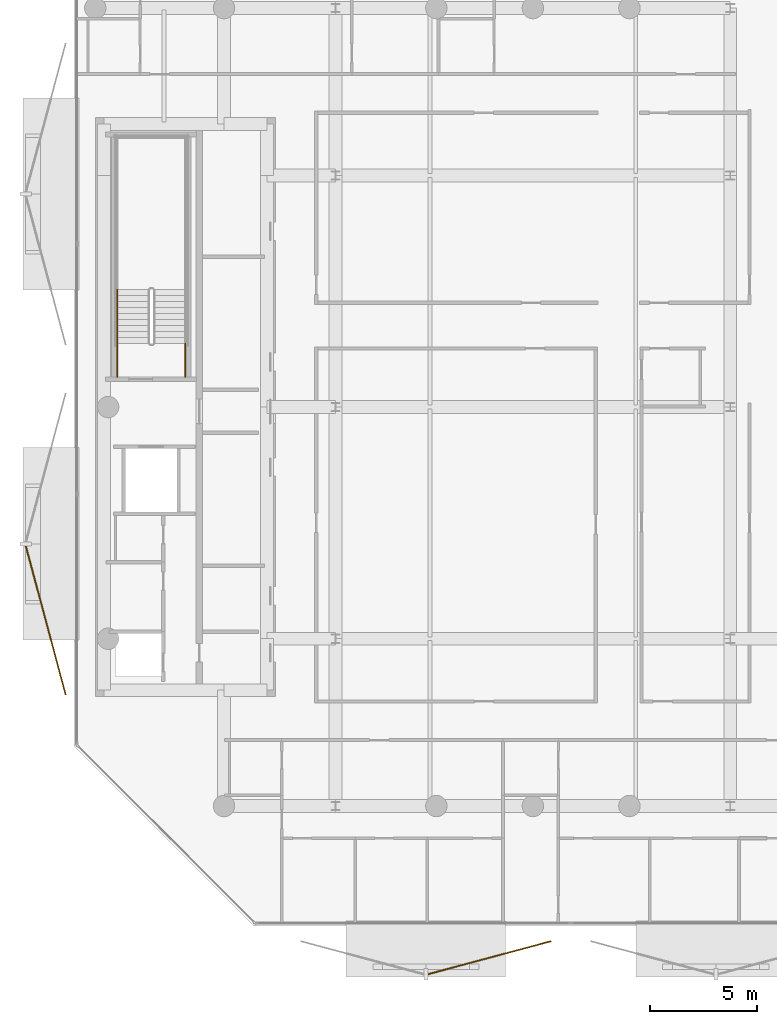
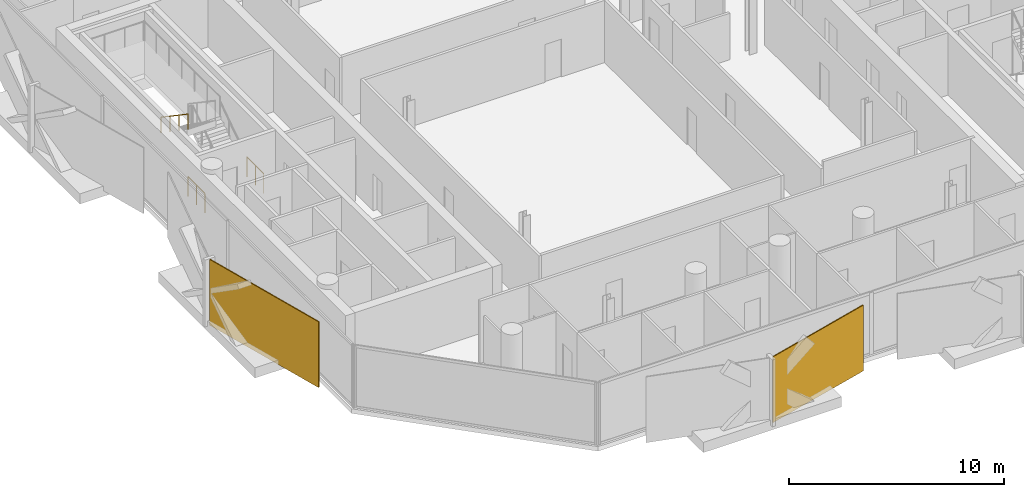
# One storey, part 14 of 17: 3 railings, 2 coverings.
"""IFC4 building model written with IfcOpenShell, lengths in metres."""

from ifc_helpers import new_model, si_unit, direction, frame, origin, origin_2d, place, context, subcontext, project, spatial, rectangle, circle, extrude, material, layer, layer_set, type_object, element, save


model = new_model("IFC4")

# Units and contexts
model_context = context("Model", 3, precision=1e-05, world=origin(), true_north=direction((0.0, 1.0)))
body_context = subcontext(model_context, "Body", "Model", "MODEL_VIEW")
ifc_project = project(units=[si_unit("LENGTHUNIT", "METRE"), si_unit("AREAUNIT", "SQUARE_METRE"), si_unit("VOLUMEUNIT", "CUBIC_METRE"), si_unit("PLANEANGLEUNIT", "RADIAN"), si_unit("MASSUNIT", "GRAM", prefix="KILO")], contexts=[model_context])

# Site, building, storey
site_placement = place(None, origin())
site = spatial("IfcSite", under=ifc_project, at=site_placement, CompositionType="ELEMENT")
building_placement = place(site_placement, origin())
building = spatial("IfcBuilding", under=site, at=building_placement, Name="Khairoan Windgate Tower", CompositionType="ELEMENT")
storey_placement = place(building_placement, frame((0.0, 0.0, 304.199951171875)))
storey = spatial("IfcBuildingStorey", under=building, at=storey_placement, Name="L73", CompositionType="ELEMENT", Elevation=304.199951171875)

# Coverings
ifc_material_1 = material(Name="Anodised Bronze Aluminium 6063-T6", Category="aluminium")
ifc_layer = layer(ifc_material_1, 0.054931640625, Name="Anodised Bronze Aluminium 6063-T6")
ifc_layer_set = layer_set([ifc_layer], Name="Anodised Bronze Aluminium 6063-T6")
covering_type = type_object("IfcCoveringType", Name="Perforated Bronze-Ceramic Folded Solar Screen Cladding BSC-1", PredefinedType="CLADDING", material=ifc_layer_set)
covering_1_placement = place(storey_placement, frame((-2.021484375, -25.67041015625, -0.10009765625), z_axis=(0.0, 0.0, 1.0), x_axis=(-0.965925826289, -0.258819045103, 0.0)))
element("IfcCovering", 1, at=covering_1_placement, inside=storey, type_object=covering_type, Name="L73 Folded Bronze Solar Screen Facet 511L", PredefinedType="CLADDING", context=body_context, shape_type="SweptSolid", body=[
    extrude(rectangle(XDim=5.947021484375, YDim=0.054931640625, at=origin_2d()), origin(), (0.0, 0.0, 1.0), 3.739990234375),
])
covering_2_placement = place(storey_placement, frame((-22.7109375, -9.94091796875, -0.10009765625), z_axis=(0.0, 0.0, 1.0), x_axis=(-0.258819045103, 0.965925826289, 0.0)))
element("IfcCovering", 2, at=covering_2_placement, inside=storey, type_object=covering_type, Name="L73 Folded Bronze Solar Screen Facet 512L", PredefinedType="CLADDING", context=body_context, shape_type="SweptSolid", body=[
    extrude(rectangle(XDim=7.178955078125, YDim=0.054931640625, at=origin_2d()), origin(), (0.0, 0.0, 1.0), 3.739990234375),
])

# Railings
ifc_material_2 = material(Name="Anodised Bronze Aluminium 6063-T6", Category="aluminium")
railing_type_1 = type_object("IfcRailingType", Name="Stair Wall Handrail SHR-900", PredefinedType="HANDRAIL", material=ifc_material_2)
railing_placement = place(storey_placement, frame((-19.3701171875, 5.47998046875, 2.090087890625)))
element("IfcRailing", 3, at=railing_placement, inside=storey, type_object=railing_type_1, Name="L73 ST2 stair handrail 2", PredefinedType="HANDRAIL", context=body_context, shape_type="SweptSolid", body=[
    extrude(circle(Radius=0.02392578125, at=origin_2d()), frame((0.0, 0.0, 0.8759765625), z_axis=(0.0, -0.827483756001, 0.561489655786), x_axis=(1.0, 0.0, 0.0)), (0.0, 0.0, 1.0), 3.04541015625),
    extrude(circle(Radius=0.02099609375, at=origin_2d()), origin(), (0.0, 0.0, 1.0), 0.851806640625),
    extrude(circle(Radius=0.02099609375, at=origin_2d()), frame((0.0, -0.840087890625, 0.570068359375)), (0.0, 0.0, 1.0), 0.851806640625),
    extrude(circle(Radius=0.02099609375, at=origin_2d()), frame((0.0, -1.679931640625, 1.139892578125)), (0.0, 0.0, 1.0), 0.851806640625),
    extrude(circle(Radius=0.02099609375, at=origin_2d()), frame((0.0, -2.52001953125, 1.7099609375)), (0.0, 0.0, 1.0), 0.851806640625),
])
ifc_material_3 = material(Name="Steel S355", Category="steel")
railing_type_2 = type_object("IfcRailingType", Name="Stairwell Safety Guardrail SGR-1150", PredefinedType="GUARDRAIL", material=ifc_material_3)
for number, where, name in (
    (4, (-16.199951171875, 1.39990234375, 0.0), "L73 ST2 stair guard 8"),
    (5, (-19.3701171875, 1.39990234375, 0.0), "L73 ST2 stair guard 9"),
):
    element("IfcRailing", number, at=place(storey_placement, frame(where)), inside=storey, type_object=railing_type_2, Name=name, PredefinedType="GUARDRAIL", context=body_context, shape_type="SweptSolid", body=[
        extrude(circle(Radius=0.02392578125, at=origin_2d()), frame((0.0, 0.0, 1.1259765625), z_axis=(0.0, 1.0, 0.0), x_axis=(-1.0, 0.0, 0.0)), (0.0, 0.0, 1.0), 1.56005859375),
        extrude(circle(Radius=0.02099609375, at=origin_2d()), origin(), (0.0, 0.0, 1.0), 1.101806640625),
        extrude(circle(Radius=0.02099609375, at=origin_2d()), frame((0.0, 0.780029296875, 0.0)), (0.0, 0.0, 1.0), 1.101806640625),
        extrude(circle(Radius=0.02099609375, at=origin_2d()), frame((0.0, 1.56005859375, 0.0)), (0.0, 0.0, 1.0), 1.101806640625),
    ])

save(model, "model.ifc")
